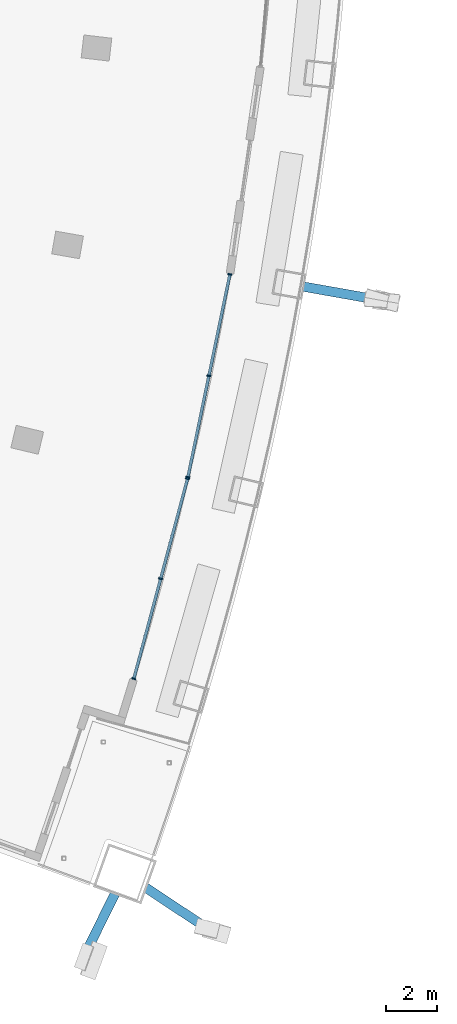
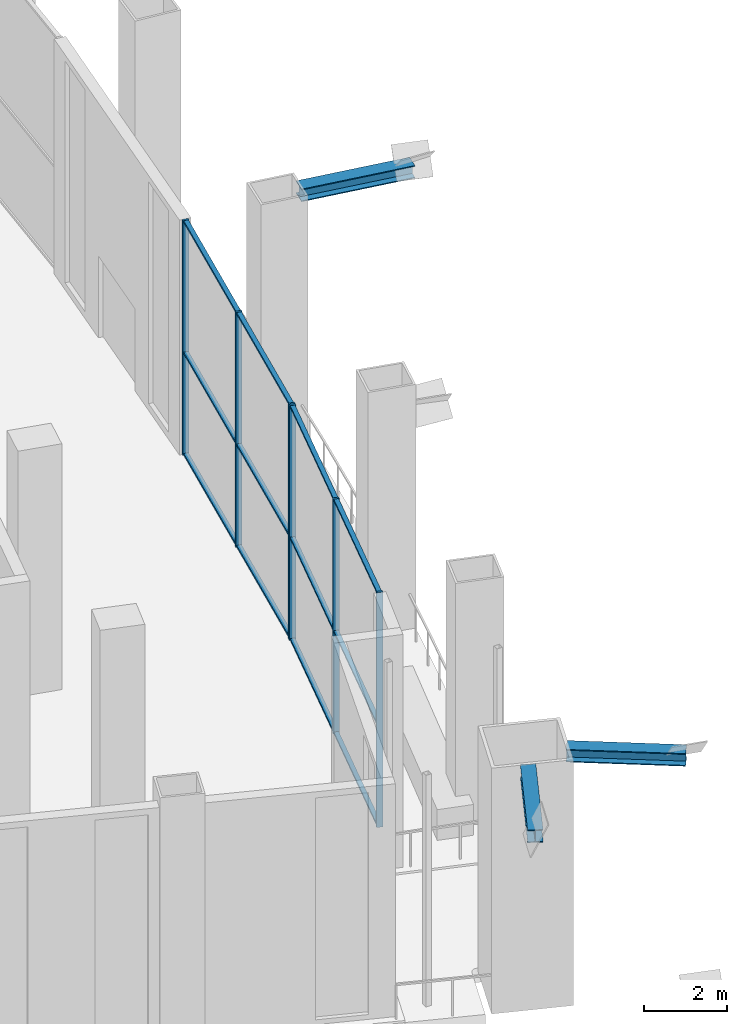
# One storey, part 10 of 27: 21 members, 2 elements without a shape of their own.
"""IFC4 building model written with IfcOpenShell, lengths in metres."""

from ifc_helpers import new_model, si_unit, direction, frame, origin, origin_2d, place, context, subcontext, project, spatial, rectangle, i_section, extrude, material, layer, layer_set, material_profile, profile_set, type_object, element, aggregate, save


model = new_model("IFC4")

# Units and contexts
model_context = context("Model", 3, precision=1e-05, world=origin(), true_north=direction((0.0, 1.0)))
body_context = subcontext(model_context, "Body", "Model", "MODEL_VIEW")
ifc_project = project(units=[si_unit("LENGTHUNIT", "METRE"), si_unit("AREAUNIT", "SQUARE_METRE"), si_unit("VOLUMEUNIT", "CUBIC_METRE"), si_unit("PLANEANGLEUNIT", "RADIAN"), si_unit("MASSUNIT", "GRAM", prefix="KILO")], contexts=[model_context])

# Site, building, storey
site_placement = place(None, origin())
site = spatial("IfcSite", under=ifc_project, at=site_placement, CompositionType="ELEMENT")
building_placement = place(site_placement, origin())
building = spatial("IfcBuilding", under=site, at=building_placement, Name="Alderwake Tower", CompositionType="ELEMENT")
storey_placement = place(building_placement, frame((0.0, 0.0, 75.199951171875)))
storey = spatial("IfcBuildingStorey", under=building, at=storey_placement, Name="L18", CompositionType="ELEMENT", Elevation=75.199951171875)

# Members
ifc_material_1 = material(Name="Steel ASTM A992 Grade 50", Category="steel")
ifc_material_profile_1 = material_profile(ifc_material_1, i_section(OverallWidth=0.3740234375, OverallDepth=0.372314453125, WebThickness=0.016357421875, FlangeThickness=0.026123046875, at=origin_2d()), Name="W14X132")
ifc_profile_set_1 = profile_set([ifc_material_profile_1], Name="Steel ASTM A992 Grade 50")
member_type_1 = type_object("IfcMemberType", Name="Brace node stub W14X132", PredefinedType="MEMBER", material=ifc_profile_set_1)
member_1_placement = place(storey_placement, frame((54.419189453125, 12.646240234375, 6.993896484375), z_axis=(0.833602081828, -0.552365430826, 0.0), x_axis=(0.552365430826, 0.833602081828, 0.0)))
element("IfcMember", 1, at=member_1_placement, inside=storey, type_object=member_type_1, Name="Brace node stub BS.FR01-C5.824", PredefinedType="MEMBER", context=body_context, shape_type="SweptSolid", body=[
    extrude(i_section(OverallWidth=0.3740234375, OverallDepth=0.372314453125, WebThickness=0.016357421875, FlangeThickness=0.026123046875, at=origin_2d()), origin(), (0.0, 0.0, 1.0), 2.874267578125),
])
member_2_placement = place(storey_placement, frame((60.569580078125, 36.14599609375, 6.993896484375), z_axis=(0.984737683901, -0.174045091589, 0.0), x_axis=(0.174045091589, 0.984737683901, 0.0)))
element("IfcMember", 2, at=member_2_placement, inside=storey, type_object=member_type_1, Name="Brace node stub BS.FR04-C5.824", PredefinedType="MEMBER", context=body_context, shape_type="SweptSolid", body=[
    extrude(i_section(OverallWidth=0.3740234375, OverallDepth=0.372314453125, WebThickness=0.016357421875, FlangeThickness=0.026123046875, at=origin_2d()), origin(), (0.0, 0.0, 1.0), 2.895263671875),
])
member_3_placement = place(storey_placement, frame((53.222412109375, 12.42041015625, 6.993896484375), z_axis=(-0.443924862678, -0.896064013504, 0.0), x_axis=(0.896064013504, -0.443924862678, 0.0)))
element("IfcMember", 3, at=member_3_placement, inside=storey, type_object=member_type_1, Name="Brace node stub BS.SR01-C5.824", PredefinedType="MEMBER", context=body_context, shape_type="SweptSolid", body=[
    extrude(i_section(OverallWidth=0.3740234375, OverallDepth=0.372314453125, WebThickness=0.016357421875, FlangeThickness=0.026123046875, at=origin_2d()), origin(), (0.0, 0.0, 1.0), 2.76416015625),
])

# Curtain wall, members
ifc_material_2 = material(Name="Bronze tinted glass in aluminium frame", Category="aluminium")
ifc_layer = layer(ifc_material_2, 0.199951171875)
ifc_layer_set = layer_set([ifc_layer], Name="Curtain wall CW3 sky garden glazing")
curtain_wall_type = type_object("IfcCurtainWallType", Name="Curtain wall CW3 sky garden glazing", PredefinedType="NOTDEFINED", material=ifc_layer_set)
curtain_wall_1_placement = place(storey_placement, origin())
curtain_wall_1 = element("IfcCurtainWall", 4, at=curtain_wall_1_placement, inside=storey, type_object=curtain_wall_type, Name="Curtain wall 3", PredefinedType="NOTDEFINED")
ifc_material_3 = material(Name="Aluminium bronze anodised", Category="aluminium")
ifc_material_profile_2 = material_profile(ifc_material_3, rectangle(XDim=0.159912109375, YDim=0.06005859375, at=origin_2d()), Name="Mullion MUC 60x160")
ifc_profile_set_2 = profile_set([ifc_material_profile_2], Name="Aluminium bronze anodised")
member_type_2 = type_object("IfcMemberType", Name="Mullion MUC 60x160", PredefinedType="MULLION", material=ifc_profile_set_2)
member_4_placement = place(storey_placement, frame((53.950927734375, 20.81396484375, 0.0), z_axis=(0.0, 0.0, 1.0), x_axis=(-0.965744616484, 0.259494384779, 0.0)))
member_4 = element("IfcMember", 5, at=member_4_placement, type_object=member_type_2, Name="CW.03 mullion 1", PredefinedType="MULLION", context=body_context, shape_type="SweptSolid", body=[
    extrude(rectangle(XDim=0.159912109375, YDim=0.06005859375, at=origin_2d()), origin(), (0.0, 0.0, 1.0), 6.880126953125),
])
member_5_placement = place(storey_placement, frame((55.001953125, 24.72509765625, 0.0), z_axis=(0.0, 0.0, 1.0), x_axis=(-0.965744616484, 0.259494384779, 0.0)))
member_5 = element("IfcMember", 6, at=member_5_placement, type_object=member_type_2, Name="CW.03 mullion 2", PredefinedType="MULLION", context=body_context, shape_type="SweptSolid", body=[
    extrude(rectangle(XDim=0.159912109375, YDim=0.06005859375, at=origin_2d()), origin(), (0.0, 0.0, 1.0), 6.880126953125),
])
member_6_placement = place(storey_placement, frame((56.052734375, 28.63623046875, 0.0), z_axis=(0.0, 0.0, 1.0), x_axis=(-0.965744616484, 0.259494384779, 0.0)))
member_6 = element("IfcMember", 7, at=member_6_placement, type_object=member_type_2, Name="CW.03 mullion 3", PredefinedType="MULLION", context=body_context, shape_type="SweptSolid", body=[
    extrude(rectangle(XDim=0.159912109375, YDim=0.06005859375, at=origin_2d()), origin(), (0.0, 0.0, 1.0), 6.880126953125),
])

curtain_wall_2_placement = place(storey_placement, origin())
curtain_wall_2 = element("IfcCurtainWall", 8, at=curtain_wall_2_placement, inside=storey, type_object=curtain_wall_type, Name="Curtain wall 4", PredefinedType="NOTDEFINED")
member_7_placement = place(storey_placement, frame((56.06591796875, 28.691650390625, 0.0), z_axis=(0.0, 0.0, 1.0), x_axis=(-0.979232321854, 0.202741361928, 0.0)))
member_7 = element("IfcMember", 9, at=member_7_placement, type_object=member_type_2, Name="CW.04 mullion 1", PredefinedType="MULLION", context=body_context, shape_type="SweptSolid", body=[
    extrude(rectangle(XDim=0.159912109375, YDim=0.06005859375, at=origin_2d()), origin(), (0.0, 0.0, 1.0), 6.880126953125),
])
member_8_placement = place(storey_placement, frame((56.886962890625, 32.6572265625, 0.0), z_axis=(0.0, 0.0, 1.0), x_axis=(-0.979232321854, 0.202741361928, 0.0)))
member_8 = element("IfcMember", 10, at=member_8_placement, type_object=member_type_2, Name="CW.04 mullion 2", PredefinedType="MULLION", context=body_context, shape_type="SweptSolid", body=[
    extrude(rectangle(XDim=0.159912109375, YDim=0.06005859375, at=origin_2d()), origin(), (0.0, 0.0, 1.0), 6.880126953125),
])
member_9_placement = place(storey_placement, frame((57.7080078125, 36.623046875, 0.0), z_axis=(0.0, 0.0, 1.0), x_axis=(-0.979232321854, 0.202741361928, 0.0)))
member_9 = element("IfcMember", 11, at=member_9_placement, type_object=member_type_2, Name="CW.04 mullion 3", PredefinedType="MULLION", context=body_context, shape_type="SweptSolid", body=[
    extrude(rectangle(XDim=0.159912109375, YDim=0.06005859375, at=origin_2d()), origin(), (0.0, 0.0, 1.0), 6.880126953125),
])

# Member
ifc_material_4 = material(Name="Aluminium bronze anodised", Category="aluminium")
ifc_material_profile_3 = material_profile(ifc_material_4, rectangle(XDim=0.1201171875, YDim=0.06005859375, at=origin_2d()), Name="Transom TRC 60x120")
ifc_profile_set_3 = profile_set([ifc_material_profile_3], Name="Aluminium bronze anodised")
member_type_3 = type_object("IfcMemberType", Name="Transom TRC 60x120", PredefinedType="USERDEFINED", material=ifc_profile_set_3)
member_10_placement = place(storey_placement, frame((53.958740234375, 20.8427734375, 0.030029296875), z_axis=(0.259501655752, 0.965742662753, 0.0), x_axis=(-0.965742662753, 0.259501655752, 0.0)))
member_10 = element("IfcMember", 12, at=member_10_placement, type_object=member_type_3, Name="CW.03 transom 1.1", ObjectType="TRANSOM", PredefinedType="USERDEFINED", context=body_context, shape_type="SweptSolid", body=[
    extrude(rectangle(XDim=0.1201171875, YDim=0.06005859375, at=origin_2d()), origin(), (0.0, 0.0, 1.0), 3.989990234375),
])

member_11_placement = place(storey_placement, frame((53.958740234375, 20.8427734375, 3.0), z_axis=(0.259501655752, 0.965742662753, 0.0), x_axis=(-0.965742662753, 0.259501655752, 0.0)))
member_11 = element("IfcMember", 13, at=member_11_placement, type_object=member_type_3, Name="CW.03 transom 1.2", ObjectType="TRANSOM", PredefinedType="USERDEFINED", context=body_context, shape_type="SweptSolid", body=[
    extrude(rectangle(XDim=0.1201171875, YDim=0.06005859375, at=origin_2d()), origin(), (0.0, 0.0, 1.0), 3.989990234375),
])

member_12_placement = place(storey_placement, frame((53.958740234375, 20.8427734375, 6.85009765625), z_axis=(0.259501655752, 0.965742662753, 0.0), x_axis=(-0.965742662753, 0.259501655752, 0.0)))
member_12 = element("IfcMember", 14, at=member_12_placement, type_object=member_type_3, Name="CW.03 transom 1.3", ObjectType="TRANSOM", PredefinedType="USERDEFINED", context=body_context, shape_type="SweptSolid", body=[
    extrude(rectangle(XDim=0.1201171875, YDim=0.06005859375, at=origin_2d()), origin(), (0.0, 0.0, 1.0), 3.989990234375),
])

member_13_placement = place(storey_placement, frame((55.009765625, 24.75390625, 0.030029296875), z_axis=(0.259444586125, 0.965757995944, 0.0), x_axis=(-0.965757995944, 0.259444586125, 0.0)))
member_13 = element("IfcMember", 15, at=member_13_placement, type_object=member_type_3, Name="CW.03 transom 2.1", ObjectType="TRANSOM", PredefinedType="USERDEFINED", context=body_context, shape_type="SweptSolid", body=[
    extrude(rectangle(XDim=0.1201171875, YDim=0.06005859375, at=origin_2d()), origin(), (0.0, 0.0, 1.0), 3.989990234375),
])

member_14_placement = place(storey_placement, frame((55.009765625, 24.75390625, 3.0), z_axis=(0.259444586125, 0.965757995944, 0.0), x_axis=(-0.965757995944, 0.259444586125, 0.0)))
member_14 = element("IfcMember", 16, at=member_14_placement, type_object=member_type_3, Name="CW.03 transom 2.2", ObjectType="TRANSOM", PredefinedType="USERDEFINED", context=body_context, shape_type="SweptSolid", body=[
    extrude(rectangle(XDim=0.1201171875, YDim=0.06005859375, at=origin_2d()), origin(), (0.0, 0.0, 1.0), 3.989990234375),
])

member_15_placement = place(storey_placement, frame((55.009765625, 24.75390625, 6.85009765625), z_axis=(0.259444586125, 0.965757995944, 0.0), x_axis=(-0.965757995944, 0.259444586125, 0.0)))
member_15 = element("IfcMember", 17, at=member_15_placement, type_object=member_type_3, Name="CW.03 transom 2.3", ObjectType="TRANSOM", PredefinedType="USERDEFINED", context=body_context, shape_type="SweptSolid", body=[
    extrude(rectangle(XDim=0.1201171875, YDim=0.06005859375, at=origin_2d()), origin(), (0.0, 0.0, 1.0), 3.989990234375),
])

aggregate(curtain_wall_1, [member_4, member_5, member_6, member_10, member_11, member_12, member_13, member_14, member_15])

member_16_placement = place(storey_placement, frame((56.072021484375, 28.720947265625, 0.030029296875), z_axis=(0.202724983817, 0.979235712654, 0.0), x_axis=(-0.979235712654, 0.202724983817, 0.0)))
member_16 = element("IfcMember", 18, at=member_16_placement, type_object=member_type_3, Name="CW.04 transom 1.1", ObjectType="TRANSOM", PredefinedType="USERDEFINED", context=body_context, shape_type="SweptSolid", body=[
    extrude(rectangle(XDim=0.1201171875, YDim=0.06005859375, at=origin_2d()), origin(), (0.0, 0.0, 1.0), 3.98974609375),
])

member_17_placement = place(storey_placement, frame((56.072021484375, 28.720947265625, 3.0), z_axis=(0.202724983817, 0.979235712654, 0.0), x_axis=(-0.979235712654, 0.202724983817, 0.0)))
member_17 = element("IfcMember", 19, at=member_17_placement, type_object=member_type_3, Name="CW.04 transom 1.2", ObjectType="TRANSOM", PredefinedType="USERDEFINED", context=body_context, shape_type="SweptSolid", body=[
    extrude(rectangle(XDim=0.1201171875, YDim=0.06005859375, at=origin_2d()), origin(), (0.0, 0.0, 1.0), 3.98974609375),
])

member_18_placement = place(storey_placement, frame((56.072021484375, 28.720947265625, 6.85009765625), z_axis=(0.202724983817, 0.979235712654, 0.0), x_axis=(-0.979235712654, 0.202724983817, 0.0)))
member_18 = element("IfcMember", 20, at=member_18_placement, type_object=member_type_3, Name="CW.04 transom 1.3", ObjectType="TRANSOM", PredefinedType="USERDEFINED", context=body_context, shape_type="SweptSolid", body=[
    extrude(rectangle(XDim=0.1201171875, YDim=0.06005859375, at=origin_2d()), origin(), (0.0, 0.0, 1.0), 3.98974609375),
])

member_19_placement = place(storey_placement, frame((56.89306640625, 32.686767578125, 0.030029296875), z_axis=(0.202783658702, 0.97922356373, 0.0), x_axis=(-0.97922356373, 0.202783658702, 0.0)))
member_19 = element("IfcMember", 21, at=member_19_placement, type_object=member_type_3, Name="CW.04 transom 2.1", ObjectType="TRANSOM", PredefinedType="USERDEFINED", context=body_context, shape_type="SweptSolid", body=[
    extrude(rectangle(XDim=0.1201171875, YDim=0.06005859375, at=origin_2d()), origin(), (0.0, 0.0, 1.0), 3.989990234375),
])

member_20_placement = place(storey_placement, frame((56.89306640625, 32.686767578125, 3.0), z_axis=(0.202783658702, 0.97922356373, 0.0), x_axis=(-0.97922356373, 0.202783658702, 0.0)))
member_20 = element("IfcMember", 22, at=member_20_placement, type_object=member_type_3, Name="CW.04 transom 2.2", ObjectType="TRANSOM", PredefinedType="USERDEFINED", context=body_context, shape_type="SweptSolid", body=[
    extrude(rectangle(XDim=0.1201171875, YDim=0.06005859375, at=origin_2d()), origin(), (0.0, 0.0, 1.0), 3.989990234375),
])

member_21_placement = place(storey_placement, frame((56.89306640625, 32.686767578125, 6.85009765625), z_axis=(0.202783658702, 0.97922356373, 0.0), x_axis=(-0.97922356373, 0.202783658702, 0.0)))
member_21 = element("IfcMember", 23, at=member_21_placement, type_object=member_type_3, Name="CW.04 transom 2.3", ObjectType="TRANSOM", PredefinedType="USERDEFINED", context=body_context, shape_type="SweptSolid", body=[
    extrude(rectangle(XDim=0.1201171875, YDim=0.06005859375, at=origin_2d()), origin(), (0.0, 0.0, 1.0), 3.989990234375),
])

aggregate(curtain_wall_2, [member_7, member_8, member_9, member_16, member_17, member_18, member_19, member_20, member_21])

save(model, "model.ifc")
